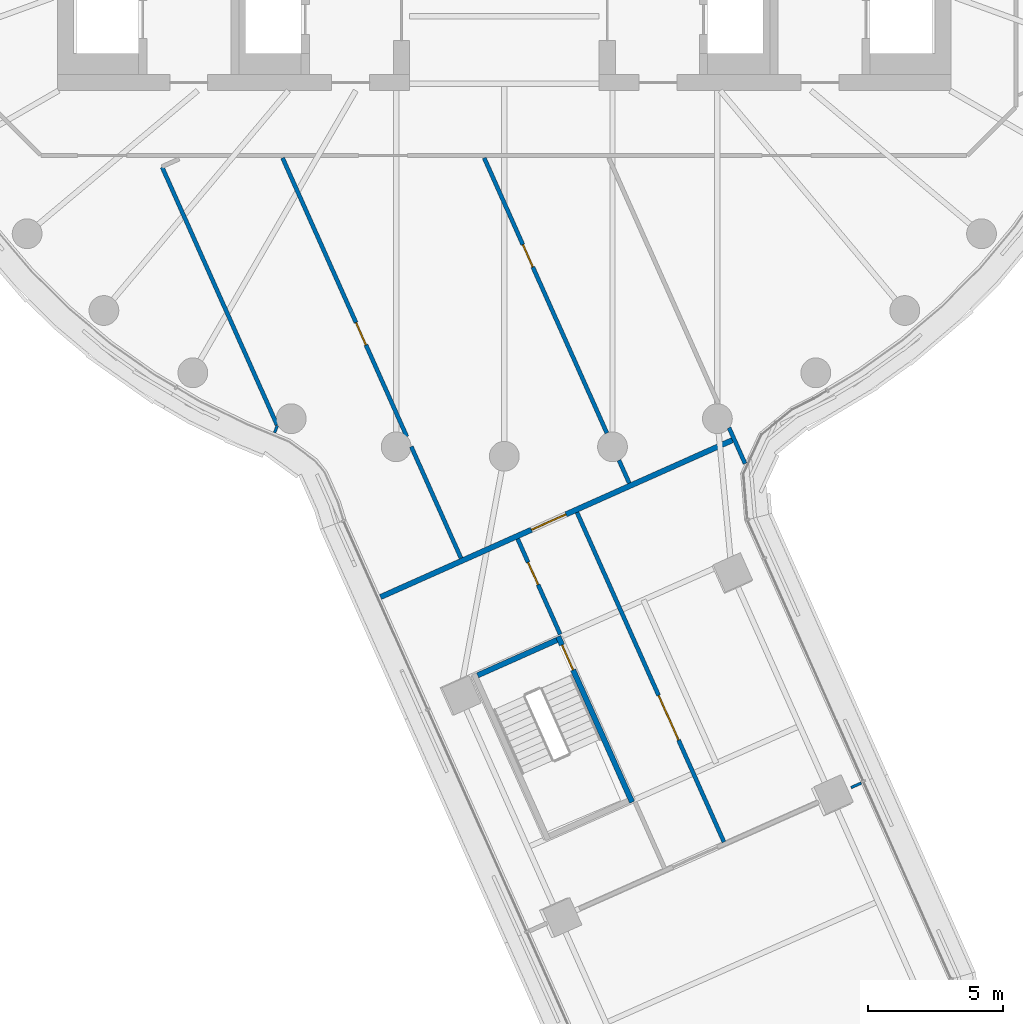
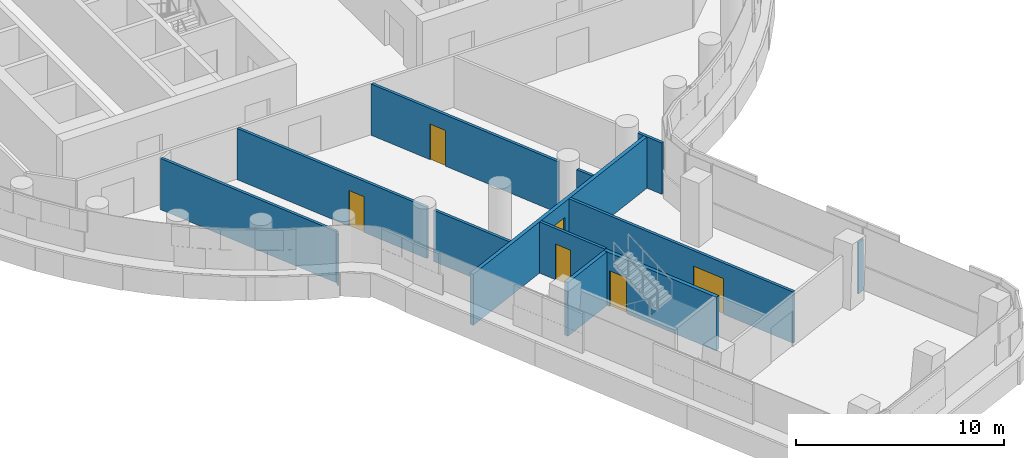
# One storey, part 21 of 35: 13 walls, 6 doors, 6 openings.
"""IFC4 building model written with IfcOpenShell, lengths in metres."""

from ifc_helpers import new_model, si_unit, direction, frame, frame_2d, origin, place, context, subcontext, project, spatial, rectangle, extrude, material, layer, layer_set, type_object, element, fill, save


model = new_model("IFC4")

# Units and contexts
model_context = context("Model", 3, precision=1e-05, world=origin(), true_north=direction((0.0, 1.0)))
body_context = subcontext(model_context, "Body", "Model", "MODEL_VIEW")
ifc_project = project(units=[si_unit("LENGTHUNIT", "METRE"), si_unit("AREAUNIT", "SQUARE_METRE"), si_unit("VOLUMEUNIT", "CUBIC_METRE"), si_unit("PLANEANGLEUNIT", "RADIAN"), si_unit("MASSUNIT", "GRAM", prefix="KILO")], contexts=[model_context])

# Site, building, storey
site_placement = place(None, origin())
site = spatial("IfcSite", under=ifc_project, at=site_placement, CompositionType="ELEMENT")
building_placement = place(site_placement, origin())
building = spatial("IfcBuilding", under=site, at=building_placement, Name="Tamarind Cross Interchange Tower", CompositionType="ELEMENT")
storey_placement = place(building_placement, frame((0.0, 0.0, 121.0)))
storey = spatial("IfcBuildingStorey", under=building, at=storey_placement, Name="L29", CompositionType="ELEMENT", Elevation=121.0)

# Walls
ifc_material_1 = material(Name="Gypsum board partition on steel studs", Category="steel")
ifc_layer_1 = layer(ifc_material_1, 0.10009765625)
ifc_layer_set_1 = layer_set([ifc_layer_1], Name="Gypsum board partition on steel studs")
wall_type_1 = type_object("IfcWallType", Name="Partition 100 mm EI 90", PredefinedType="PARTITIONING", material=ifc_layer_set_1)
wall_1_placement = place(storey_placement, frame((12.802978515625, -35.233642578125, 0.0), z_axis=(0.0, 0.0, 1.0), x_axis=(0.913490985533, 0.406858967396, 0.0)))
element("IfcWall", 1, at=wall_1_placement, inside=storey, type_object=wall_type_1, Name="Partition L29-064", PredefinedType="PARTITIONING", context=body_context, shape_type="SweptSolid", body=[
    extrude(rectangle(XDim=0.40869140625, YDim=0.10009765625, at=frame_2d((0.204345703125, 0.0))), origin(), (0.0, 0.0, 1.0), 3.010009765625),
])
wall_2_placement = place(storey_placement, frame((-8.4814453125, -22.130615234375, 0.0), z_axis=(0.0, 0.0, 1.0), x_axis=(0.355671431092, 0.934611059803, 0.0)))
element("IfcWall", 2, at=wall_2_placement, inside=storey, type_object=wall_type_1, Name="Partition L29-078", PredefinedType="PARTITIONING", context=body_context, shape_type="SweptSolid", body=[
    extrude(rectangle(XDim=0.2822265625, YDim=0.10009765625, at=frame_2d((0.14111328125, 0.0))), origin(), (0.0, 0.0, 1.0), 3.010009765625),
])
ifc_layer_2 = layer(ifc_material_1, 0.14990234375)
ifc_layer_set_2 = layer_set([ifc_layer_2], Name="Gypsum board partition on steel studs")
wall_type_2 = type_object("IfcWallType", Name="Partition 150 mm EI 120", PredefinedType="PARTITIONING", material=ifc_layer_set_2)
wall_3_placement = place(storey_placement, frame((-12.6337890625, -12.326416015625, 0.0), z_axis=(0.0, 0.0, 1.0), x_axis=(0.407133799184, -0.913368528887, 0.0)))
element("IfcWall", 3, at=wall_3_placement, inside=storey, type_object=wall_type_2, Name="Partition L29-010", PredefinedType="PARTITIONING", context=body_context, shape_type="SweptSolid", body=[
    extrude(rectangle(XDim=10.4208984375, YDim=0.14990234375, at=frame_2d((5.21044921875, 0.0))), origin(), (0.0, 0.0, 1.0), 3.010009765625),
])

# Wall, opening, door
wall_4_placement = place(storey_placement, frame((-8.187255859375, -11.98681640625, 0.0), z_axis=(0.0, 0.0, 1.0), x_axis=(0.407231277155, -0.91332507187, 0.0)))
wall_4 = element("IfcWall", 4, at=wall_4_placement, inside=storey, type_object=wall_type_2, Name="Partition L29-013", PredefinedType="PARTITIONING", context=body_context, shape_type="SweptSolid", body=[
    extrude(rectangle(XDim=11.273193359375, YDim=0.14990234375, at=frame_2d((5.63671875, 0.0))), origin(), (0.0, 0.0, 1.0), 3.010009765625),
])
opening_1_placement = place(wall_4_placement, frame((6.655029296875, 0.0, 0.0)))
opening_1 = element("IfcOpeningElement", 5, at=opening_1_placement, cuts=wall_4, Name="Opening D03", PredefinedType="OPENING", context=body_context, shape_type="SweptSolid", body=[
    extrude(rectangle(XDim=0.89990234375, YDim=2.10009765625, at=frame_2d((0.449951171875, 1.050048828125))), frame((0.0, 0.0849609375, 0.0), z_axis=(0.0, -1.0, 0.0), x_axis=(1.0, 0.0, 0.0)), (0.0, 0.0, 1.0), 0.169921875),
])
ifc_material_2 = material(Name="Fire-resisting door set")
door_type_1 = type_object("IfcDoorType", Name="Interior door 900 x 2100 FD60S", OperationType="SINGLE_SWING_LEFT", PredefinedType="DOOR", material=ifc_material_2)
door_1_placement = place(opening_1_placement, frame((0.89990234375, 0.0, 0.0), z_axis=(0.0, 0.0, 1.0), x_axis=(-1.0, 0.0, 0.0)))
door_1 = element("IfcDoor", 6, at=door_1_placement, inside=storey, type_object=door_type_1, Name="Door D03", OperationType="SINGLE_SWING_RIGHT", OverallHeight=2.10009765625, OverallWidth=0.89990234375, PredefinedType="DOOR", context=body_context, shape_type="SweptSolid", body=[
    extrude(rectangle(XDim=0.89990234375, YDim=2.10009765625, at=frame_2d((0.449951171875, 1.050048828125))), frame((0.0, 0.02490234375, 0.0), z_axis=(0.0, -1.0, 0.0), x_axis=(1.0, 0.0, 0.0)), (0.0, 0.0, 1.0), 0.050048828125),
])
fill(opening_1, door_1)

# Wall
wall_5_placement = place(storey_placement, frame((-3.435791015625, -22.643310546875, 0.0), z_axis=(0.0, 0.0, 1.0), x_axis=(0.407203882041, -0.913337286248, 0.0)))
element("IfcWall", 7, at=wall_5_placement, inside=storey, type_object=wall_type_2, Name="Partition L29-014", PredefinedType="PARTITIONING", context=body_context, shape_type="SweptSolid", body=[
    extrude(rectangle(XDim=4.50634765625, YDim=0.14990234375, at=frame_2d((2.253173828125, 0.0))), origin(), (0.0, 0.0, 1.0), 3.010009765625),
])

# Wall, opening, door
wall_6_placement = place(storey_placement, frame((-0.7421875, -11.98681640625, 0.0), z_axis=(0.0, 0.0, 1.0), x_axis=(0.407260264748, -0.913312146398, 0.0)))
wall_6 = element("IfcWall", 8, at=wall_6_placement, inside=storey, type_object=wall_type_2, Name="Partition L29-021", PredefinedType="PARTITIONING", context=body_context, shape_type="SweptSolid", body=[
    extrude(rectangle(XDim=11.123291015625, YDim=0.14990234375, at=frame_2d((5.5615234375, 0.0))), origin(), (0.0, 0.0, 1.0), 3.010009765625),
])
opening_2_placement = place(wall_6_placement, frame((3.5048828125, 0.0, 0.0)))
opening_2 = element("IfcOpeningElement", 9, at=opening_2_placement, cuts=wall_6, Name="Opening D09", PredefinedType="OPENING", context=body_context, shape_type="SweptSolid", body=[
    extrude(rectangle(XDim=0.89990234375, YDim=2.10009765625, at=frame_2d((0.449951171875, 1.050048828125))), frame((0.0, 0.0849609375, 0.0), z_axis=(0.0, -1.0, 0.0), x_axis=(1.0, 0.0, 0.0)), (0.0, 0.0, 1.0), 0.169921875),
])
door_2_placement = place(opening_2_placement, origin())
door_2 = element("IfcDoor", 10, at=door_2_placement, inside=storey, type_object=door_type_1, Name="Door D09", OperationType="SINGLE_SWING_RIGHT", OverallHeight=2.10009765625, OverallWidth=0.89990234375, PredefinedType="DOOR", context=body_context, shape_type="SweptSolid", body=[
    extrude(rectangle(XDim=0.89990234375, YDim=2.10009765625, at=frame_2d((0.449951171875, 1.050048828125))), frame((0.0, 0.02490234375, 0.0), z_axis=(0.0, -1.0, 0.0), x_axis=(1.0, 0.0, 0.0)), (0.0, 0.0, 1.0), 0.050048828125),
])
fill(opening_2, door_2)

# Wall
wall_7_placement = place(storey_placement, frame((4.23388671875, -23.146240234375, 0.0), z_axis=(0.0, 0.0, 1.0), x_axis=(0.407241569405, -0.913320482716, 0.0)))
element("IfcWall", 11, at=wall_7_placement, inside=storey, type_object=wall_type_2, Name="Partition L29-022", PredefinedType="PARTITIONING", context=body_context, shape_type="SweptSolid", body=[
    extrude(rectangle(XDim=0.923828125, YDim=0.14990234375, at=frame_2d((0.4619140625, 0.0))), origin(), (0.0, 0.0, 1.0), 3.010009765625),
])

# Wall, opening, door
wall_8_placement = place(storey_placement, frame((0.49169921875, -26.05029296875, 0.0), z_axis=(0.0, 0.0, 1.0), x_axis=(0.407346707763, -0.913273595192, 0.0)))
wall_8 = element("IfcWall", 12, at=wall_8_placement, inside=storey, type_object=wall_type_2, Name="Partition L29-024", PredefinedType="PARTITIONING", context=body_context, shape_type="SweptSolid", body=[
    extrude(rectangle(XDim=3.861083984375, YDim=0.14990234375, at=frame_2d((1.9306640625, 0.0))), origin(), (0.0, 0.0, 1.0), 3.010009765625),
])
opening_3_placement = place(wall_8_placement, frame((0.949951171875, 0.0, 0.0)))
opening_3 = element("IfcOpeningElement", 13, at=opening_3_placement, cuts=wall_8, Name="Opening D11", PredefinedType="OPENING", context=body_context, shape_type="SweptSolid", body=[
    extrude(rectangle(XDim=0.89990234375, YDim=2.10009765625, at=frame_2d((0.449951171875, 1.050048828125))), frame((0.0, 0.0849609375, 0.0), z_axis=(0.0, -1.0, 0.0), x_axis=(1.0, 0.0, 0.0)), (0.0, 0.0, 1.0), 0.169921875),
])
door_3_placement = place(opening_3_placement, frame((0.89990234375, 0.0, 0.0), z_axis=(0.0, 0.0, 1.0), x_axis=(-1.0, 0.0, 0.0)))
door_3 = element("IfcDoor", 14, at=door_3_placement, inside=storey, type_object=door_type_1, Name="Door D11", OperationType="SINGLE_SWING_LEFT", OverallHeight=2.10009765625, OverallWidth=0.89990234375, PredefinedType="DOOR", context=body_context, shape_type="SweptSolid", body=[
    extrude(rectangle(XDim=0.89990234375, YDim=2.10009765625, at=frame_2d((0.449951171875, 1.050048828125))), frame((0.0, 0.02490234375, 0.0), z_axis=(0.0, -1.0, 0.0), x_axis=(1.0, 0.0, 0.0)), (0.0, 0.0, 1.0), 0.050048828125),
])
fill(opening_3, door_3)

wall_9_placement = place(storey_placement, frame((2.68359375, -25.0732421875, 0.0), z_axis=(0.0, 0.0, 1.0), x_axis=(0.407268610687, -0.913308424766, 0.0)))
wall_9 = element("IfcWall", 15, at=wall_9_placement, inside=storey, type_object=wall_type_2, Name="Partition L29-027", PredefinedType="PARTITIONING", context=body_context, shape_type="SweptSolid", body=[
    extrude(rectangle(XDim=13.325439453125, YDim=0.14990234375, at=frame_2d((6.66259765625, 0.0))), origin(), (0.0, 0.0, 1.0), 3.010009765625),
])
opening_4_placement = place(wall_9_placement, frame((7.39990234375, 0.0, 0.0)))
opening_4 = element("IfcOpeningElement", 16, at=opening_4_placement, cuts=wall_9, Name="Opening D13", PredefinedType="OPENING", context=body_context, shape_type="SweptSolid", body=[
    extrude(rectangle(XDim=1.800048828125, YDim=2.10009765625, at=frame_2d((0.89990234375, 1.050048828125))), frame((0.0, 0.0849609375, 0.0), z_axis=(0.0, -1.0, 0.0), x_axis=(1.0, 0.0, 0.0)), (0.0, 0.0, 1.0), 0.169921875),
])
door_type_2 = type_object("IfcDoorType", Name="Interior door 1800 x 2100 FD60S", OperationType="DOUBLE_DOOR_SINGLE_SWING", PredefinedType="DOOR", material=ifc_material_2)
door_4_placement = place(opening_4_placement, frame((1.800048828125, 0.0, 0.0), z_axis=(0.0, 0.0, 1.0), x_axis=(-1.0, 0.0, 0.0)))
door_4 = element("IfcDoor", 17, at=door_4_placement, inside=storey, type_object=door_type_2, Name="Door D13", OperationType="DOUBLE_DOOR_SINGLE_SWING", OverallHeight=2.10009765625, OverallWidth=1.800048828125, PredefinedType="DOOR", context=body_context, shape_type="SweptSolid", body=[
    extrude(rectangle(XDim=1.800048828125, YDim=2.10009765625, at=frame_2d((0.89990234375, 1.050048828125))), frame((0.0, 0.02490234375, 0.0), z_axis=(0.0, -1.0, 0.0), x_axis=(1.0, 0.0, 0.0)), (0.0, 0.0, 1.0), 0.050048828125),
])
fill(opening_4, door_4)

# Wall
wall_10_placement = place(storey_placement, frame((8.297607421875, -21.94677734375, 0.0), z_axis=(0.0, 0.0, 1.0), x_axis=(0.407232016683, -0.913324742131, 0.0)))
element("IfcWall", 18, at=wall_10_placement, inside=storey, type_object=wall_type_2, Name="Partition L29-031", PredefinedType="PARTITIONING", context=body_context, shape_type="SweptSolid", body=[
    extrude(rectangle(XDim=1.44970703125, YDim=0.14990234375, at=frame_2d((0.724853515625, 0.0))), origin(), (0.0, 0.0, 1.0), 3.010009765625),
])

# Wall, opening, door
ifc_layer_3 = layer(ifc_material_1, 0.199951171875)
ifc_layer_set_3 = layer_set([ifc_layer_3], Name="Gypsum board partition on steel studs")
wall_type_3 = type_object("IfcWallType", Name="Partition 200 mm EI 180", PredefinedType="PARTITIONING", material=ifc_layer_set_3)
wall_11_placement = place(storey_placement, frame((-4.571044921875, -28.198486328125, 0.0), z_axis=(0.0, 0.0, 1.0), x_axis=(0.913300332542, 0.407286757186, 0.0)))
wall_11 = element("IfcWall", 19, at=wall_11_placement, inside=storey, type_object=wall_type_3, Name="Partition L29-059", PredefinedType="PARTITIONING", context=body_context, shape_type="SweptSolid", body=[
    extrude(rectangle(XDim=14.21923828125, YDim=0.199951171875, at=frame_2d((7.109619140625, 0.0))), origin(), (0.0, 0.0, 1.0), 3.010009765625),
])
opening_5_placement = place(wall_11_placement, frame((6.0986328125, 0.0, 0.0)))
opening_5 = element("IfcOpeningElement", 20, at=opening_5_placement, cuts=wall_11, Name="Opening D32", PredefinedType="OPENING", context=body_context, shape_type="SweptSolid", body=[
    extrude(rectangle(XDim=1.39990234375, YDim=2.10009765625, at=frame_2d((0.699951171875, 1.050048828125))), frame((0.0, 0.10986328125, 0.0), z_axis=(0.0, -1.0, 0.0), x_axis=(1.0, 0.0, 0.0)), (0.0, 0.0, 1.0), 0.219970703125),
])
door_type_3 = type_object("IfcDoorType", Name="Interior door 1400 x 2100 FD120S", OperationType="DOUBLE_DOOR_SINGLE_SWING", PredefinedType="DOOR", material=ifc_material_2)
door_5_placement = place(opening_5_placement, origin())
door_5 = element("IfcDoor", 21, at=door_5_placement, inside=storey, type_object=door_type_3, Name="Door D32", OperationType="DOUBLE_DOOR_SINGLE_SWING", OverallHeight=2.10009765625, OverallWidth=1.39990234375, PredefinedType="DOOR", context=body_context, shape_type="SweptSolid", body=[
    extrude(rectangle(XDim=1.39990234375, YDim=2.10009765625, at=frame_2d((0.699951171875, 1.050048828125))), frame((0.0, 0.02490234375, 0.0), z_axis=(0.0, -1.0, 0.0), x_axis=(1.0, 0.0, 0.0)), (0.0, 0.0, 1.0), 0.050048828125),
])
fill(opening_5, door_5)

ifc_material_3 = material(Name="Concrete C40", Category="concrete")
ifc_layer_4 = layer(ifc_material_3, 0.199951171875)
ifc_layer_set_4 = layer_set([ifc_layer_4], Name="Concrete C40")
wall_type_4 = type_object("IfcWallType", Name="Stair shaft wall 200 mm Concrete C40", PredefinedType="SHEAR", material=ifc_layer_set_4)
wall_12_placement = place(storey_placement, frame((1.989013671875, -29.6533203125, -0.139892578125), z_axis=(0.0, 0.0, 1.0), x_axis=(0.407203178831, -0.913337599768, 0.0)))
wall_12 = element("IfcWall", 22, at=wall_12_placement, inside=storey, type_object=wall_type_4, Name="Core wall CWL-L29-ST6-H", PredefinedType="SHEAR", context=body_context, shape_type="SweptSolid", body=[
    extrude(rectangle(XDim=6.699951171875, YDim=0.199951171875, at=frame_2d((3.35009765625, 0.0))), origin(), (0.0, 0.0, 1.0), 3.14990234375),
])
opening_6_placement = place(wall_12_placement, frame((0.35009765625, 0.0, 0.0)))
opening_6 = element("IfcOpeningElement", 23, at=opening_6_placement, cuts=wall_12, Name="Opening ST6L29", PredefinedType="OPENING", context=body_context, shape_type="SweptSolid", body=[
    extrude(rectangle(XDim=1.0, YDim=2.10009765625, at=frame_2d((0.5, 1.050048828125))), frame((0.0, 0.10986328125, 0.0), z_axis=(0.0, -1.0, 0.0), x_axis=(1.0, 0.0, 0.0)), (0.0, 0.0, 1.0), 0.219970703125),
])
ifc_material_4 = material(Name="Steel, fire-resisting", Category="steel")
door_type_4 = type_object("IfcDoorType", Name="Core fire door 1000 x 2100 FD90", OperationType="SINGLE_SWING_LEFT", PredefinedType="DOOR", material=ifc_material_4)
door_6_placement = place(opening_6_placement, origin())
door_6 = element("IfcDoor", 24, at=door_6_placement, inside=storey, type_object=door_type_4, Name="L29 stair door ST6", OperationType="SINGLE_SWING_LEFT", OverallHeight=2.10009765625, OverallWidth=1.0, PredefinedType="DOOR", context=body_context, shape_type="SweptSolid", body=[
    extrude(rectangle(XDim=1.0, YDim=2.10009765625, at=frame_2d((0.5, 1.050048828125))), frame((0.0, 0.02490234375, 0.0), z_axis=(0.0, -1.0, 0.0), x_axis=(1.0, 0.0, 0.0)), (0.0, 0.0, 1.0), 0.050048828125),
])
fill(opening_6, door_6)

# Wall
wall_13_placement = place(storey_placement, frame((-0.984375, -31.08837890625, -0.139892578125), z_axis=(0.0, 0.0, 1.0), x_axis=(0.913354799739, 0.407164597913, 0.0)))
element("IfcWall", 25, at=wall_13_placement, inside=storey, type_object=wall_type_4, Name="Core wall CWL-L29-ST6-CE", PredefinedType="SHEAR", context=body_context, shape_type="SweptSolid", body=[
    extrude(rectangle(XDim=3.2001953125, YDim=0.199951171875, at=frame_2d((1.60009765625, 0.0))), origin(), (0.0, 0.0, 1.0), 3.14990234375),
])

save(model, "model.ifc")
